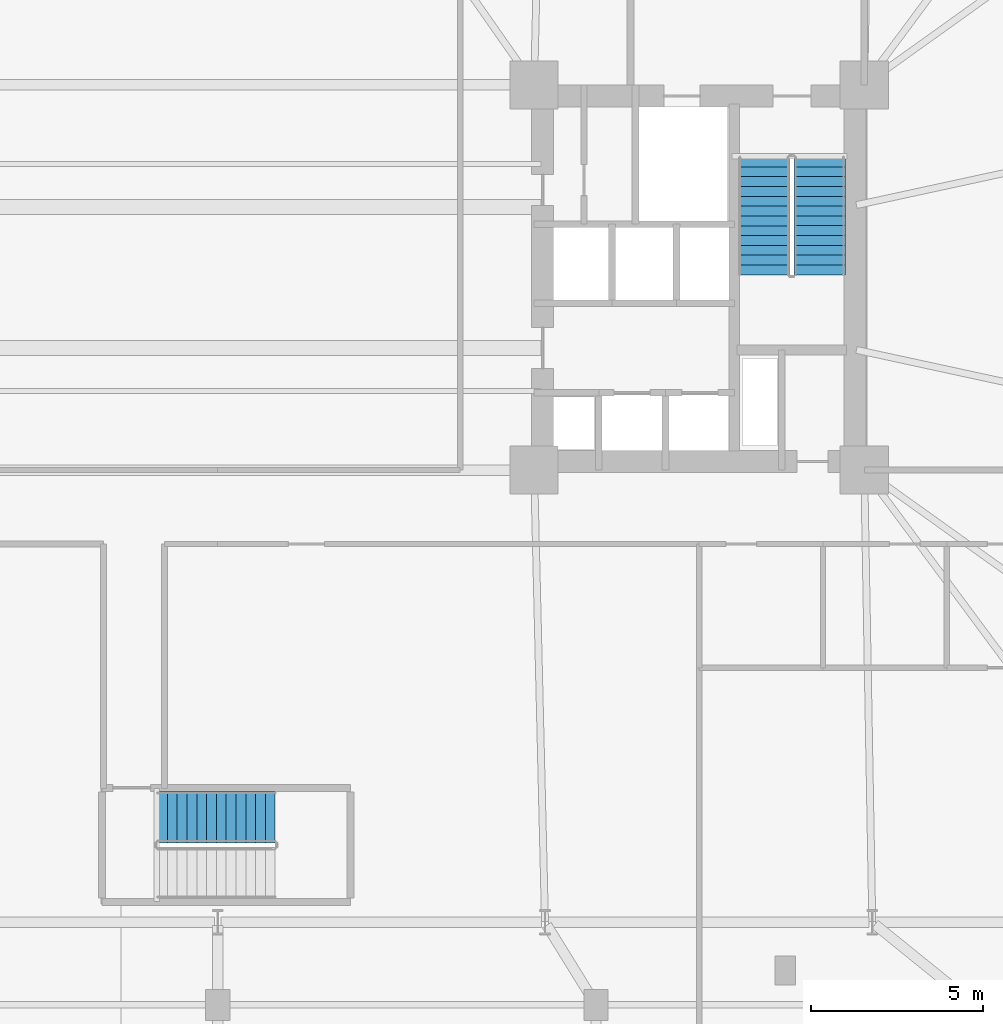
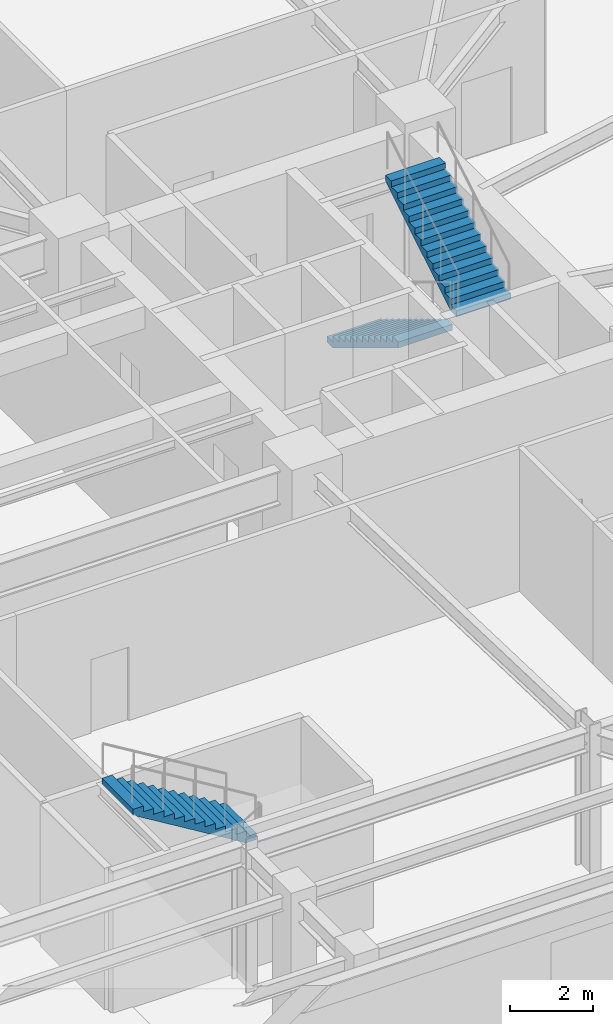
# One storey, part 18 of 23: 3 stair flights, 2 elements without a shape of their own.
"""IFC4 building model written with IfcOpenShell, lengths in metres."""

import ifcopenshell
import ifcopenshell.guid

model = None  # the IFC model being written
_history = None  # IfcOwnerHistory: only IFC2X3 demands one
_inside = {}  # id of a spatial element -> (the spatial element, [elements in it])
_under = {}  # id of a project, library or spatial element -> (it, [spatial elements below it])
_declared = {}  # id of a project -> (the project, [libraries it declares])
_typed = {}  # id of a type object -> (the type object, [elements of that type])
_made_of = {}  # id of a material, layer set ... -> (it, [elements and type objects made of it])


def new_model(schema):
    """Start an empty IFC model of exactly this schema.

    Asked for "IFC4X3", IfcOpenShell would pick the latest addendum, in which some entities
    have other attributes; the version numbers below select the first issue.
    IFC2X3 requires an IfcOwnerHistory on every rooted entity: one is made here for all.
    """
    global model, _history
    if schema == "IFC4X3":
        model = ifcopenshell.file(schema_version=(4, 3, 0, 0))
    else:
        model = ifcopenshell.file(schema=schema)
    _inside.clear()
    _under.clear()
    _declared.clear()
    _typed.clear()
    _made_of.clear()
    _history = None
    if model.schema == "IFC2X3":
        org = make("IfcOrganization", Name="unknown")
        user = make(
            "IfcPersonAndOrganization",
            ThePerson=make("IfcPerson", FamilyName="unknown"),
            TheOrganization=org,
        )
        app = make(
            "IfcApplication",
            ApplicationDeveloper=org,
            Version="unknown",
            ApplicationFullName="unknown",
            ApplicationIdentifier="unknown",
        )
        _history = make(
            "IfcOwnerHistory",
            OwningUser=user,
            OwningApplication=app,
            ChangeAction="ADDED",
            CreationDate=0,
        )
    return model


def make(cls, **values):
    """One entity of the class cls with the attributes given. An attribute that is None is left unset."""
    return model.create_entity(
        cls, **{name: value for name, value in values.items() if value is not None}
    )


def rooted(cls, **values):
    """An entity with a GlobalId (a new one), such as an element, a storey or a relation."""
    return make(cls, GlobalId=ifcopenshell.guid.new(), OwnerHistory=_history, **values)


def si_unit(unit_type, name, prefix=None):
    """IfcSIUnit, for example si_unit("LENGTHUNIT", "METRE", prefix="MILLI")."""
    return make("IfcSIUnit", UnitType=unit_type, Prefix=prefix, Name=name)


def assignment(units):
    """IfcUnitAssignment: the units of a project."""
    return None if units is None else make("IfcUnitAssignment", Units=units)


def point(xyz):
    """IfcCartesianPoint."""
    return None if xyz is None else make("IfcCartesianPoint", Coordinates=xyz)


def direction(xyz):
    """IfcDirection."""
    return None if xyz is None else make("IfcDirection", DirectionRatios=xyz)


def frame(location, z_axis=None, x_axis=None):
    """IfcAxis2Placement3D, a coordinate frame: its origin and axes. An axis left out is left unset."""
    return make(
        "IfcAxis2Placement3D",
        Location=point(location),
        Axis=direction(z_axis),
        RefDirection=direction(x_axis),
    )


def origin():
    """The frame at (0, 0, 0) with its axes left unset."""
    return frame((0.0, 0.0, 0.0))


def place(relative_to, where):
    """IfcLocalPlacement: puts the frame where relative to a parent placement (None: the world)."""
    return make(
        "IfcLocalPlacement", PlacementRelTo=relative_to, RelativePlacement=where
    )


def context(
    kind, dimensions, precision=None, world=None, true_north=None, identifier=None
):
    """IfcGeometricRepresentationContext, for example the 3D "Model" context."""
    return make(
        "IfcGeometricRepresentationContext",
        ContextIdentifier=identifier,
        ContextType=kind,
        CoordinateSpaceDimension=dimensions,
        Precision=precision,
        WorldCoordinateSystem=world,
        TrueNorth=true_north,
    )


def subcontext(parent, identifier, kind, view, scale=None):
    """IfcGeometricRepresentationSubContext, for example "Body" below "Model"."""
    return make(
        "IfcGeometricRepresentationSubContext",
        ContextIdentifier=identifier,
        ContextType=kind,
        ParentContext=parent,
        TargetScale=scale,
        TargetView=view,
    )


def project(units=None, contexts=None):
    """IfcProject with its units and contexts."""
    return rooted(
        "IfcProject",
        Name="project",
        RepresentationContexts=contexts,
        UnitsInContext=assignment(units),
    )


def spatial(cls, under=None, at=None, **own):
    """A site, building, storey or space (cls), placed at a placement, below another one or the project."""
    s = rooted(cls, ObjectPlacement=at, **own)
    if under is not None:
        _under.setdefault(under.id(), (under, []))[1].append(s)
    return s


def polyline(points):
    """IfcPolyline through the points."""
    return make("IfcPolyline", Points=[point(p) for p in points])


def outline(outer, holes=None, kind="AREA"):
    """IfcArbitraryClosedProfileDef: a profile drawn as a closed curve; with holes, ...WithVoids."""
    if holes is None:
        return make("IfcArbitraryClosedProfileDef", ProfileType=kind, OuterCurve=outer)
    return make(
        "IfcArbitraryProfileDefWithVoids",
        ProfileType=kind,
        OuterCurve=outer,
        InnerCurves=holes,
    )


def extrude(swept, where, along, depth):
    """IfcExtrudedAreaSolid: the profile swept, set in the frame where, extruded along a direction by depth."""
    return make(
        "IfcExtrudedAreaSolid",
        SweptArea=swept,
        Position=where,
        ExtrudedDirection=direction(along),
        Depth=depth,
    )


def shape(context_of_items, identifier, shape_type, items):
    """IfcShapeRepresentation: the items that make up one representation, for example the "Body"."""
    return make(
        "IfcShapeRepresentation",
        ContextOfItems=context_of_items,
        RepresentationIdentifier=identifier,
        RepresentationType=shape_type,
        Items=items,
    )


def material(Name=None, Category=None):
    """IfcMaterial."""
    return make("IfcMaterial", Name=Name, Category=Category)


def made_of(thing, what):
    """Note that an element or type object is made of a material, layer set ...; save() writes the relation."""
    if what is not None:
        _made_of.setdefault(what.id(), (what, []))[1].append(thing)
    return thing


def type_object(cls, material=None, **own):
    """A type object (cls), such as IfcWallType, which elements share."""
    return made_of(rooted(cls, **own), material)


def element(
    cls,
    number,
    at=None,
    inside=None,
    cuts=None,
    type_object=None,
    material=None,
    context=None,
    identifier="Body",
    shape_type=None,
    held_by="IfcProductDefinitionShape",
    body=None,
    shapes=None,
    **own,
):
    """One element of the class cls, such as IfcWall. Its Tag is "e" and its number.

    at: its placement. inside: the storey or other place that contains it. cuts: it is an
    opening in that element (IfcRelVoidsElement). A single representation is given by context,
    identifier, shape_type and body (its items); several are given by shapes. held_by: the class
    of the entity that holds the representations. save() writes the other relations.
    """
    e = rooted(cls, Tag="e%d" % number, ObjectPlacement=at, **own)
    if body is not None:
        shapes = [shape(context, identifier, shape_type, body)]
    if shapes is not None:
        e.Representation = make(held_by, Representations=shapes)
    if inside is not None:
        _inside.setdefault(inside.id(), (inside, []))[1].append(e)
    if cuts is not None:
        rooted(
            "IfcRelVoidsElement", RelatingBuildingElement=cuts, RelatedOpeningElement=e
        )
    if type_object is not None:
        _typed.setdefault(type_object.id(), (type_object, []))[1].append(e)
    return made_of(e, material)


def aggregate(whole, parts):
    """IfcRelAggregates: a whole, such as a stair, and the parts it consists of."""
    return rooted("IfcRelAggregates", RelatingObject=whole, RelatedObjects=parts)


def save(model, path):
    """Write the relations noted so far, then the file.

    IfcRelAggregates (storeys below a building ...), IfcRelContainedInSpatialStructure (elements
    in a storey), IfcRelDefinesByType, IfcRelAssociatesMaterial and IfcRelDeclares: one each for
    every whole, place, type object, material and project.
    """
    for whole, parts in _under.values():
        aggregate(whole, parts)
    for where, things in _inside.values():
        rooted(
            "IfcRelContainedInSpatialStructure",
            RelatedElements=things,
            RelatingStructure=where,
        )
    for kind, things in _typed.values():
        rooted("IfcRelDefinesByType", RelatedObjects=things, RelatingType=kind)
    for what, things in _made_of.values():
        rooted("IfcRelAssociatesMaterial", RelatedObjects=things, RelatingMaterial=what)
    for by, libraries in _declared.values():
        rooted("IfcRelDeclares", RelatingContext=by, RelatedDefinitions=libraries)
    model.write(path)


model = new_model("IFC4")

# Units and contexts
model_context = context("Model", 3, precision=1e-05, world=origin(), true_north=direction((0.0, 1.0)))
body_context = subcontext(model_context, "Body", "Model", "MODEL_VIEW")
ifc_project = project(units=[si_unit("LENGTHUNIT", "METRE"), si_unit("AREAUNIT", "SQUARE_METRE"), si_unit("VOLUMEUNIT", "CUBIC_METRE"), si_unit("PLANEANGLEUNIT", "RADIAN"), si_unit("MASSUNIT", "GRAM", prefix="KILO")], contexts=[model_context])

# Site, building, storey
site_placement = place(None, origin())
site = spatial("IfcSite", under=ifc_project, at=site_placement, CompositionType="ELEMENT")
building_placement = place(site_placement, origin())
building = spatial("IfcBuilding", under=site, at=building_placement, Name="Qobustan Lattice House", CompositionType="ELEMENT")
storey_placement = place(building_placement, frame((0.0, 0.0, 9.0)))
storey = spatial("IfcBuildingStorey", under=building, at=storey_placement, Name="L02", CompositionType="ELEMENT", Elevation=9.0)

# Stair, stair flights
ifc_material_1 = material(Name="Concrete C40/50", Category="concrete")
stair_type_1 = type_object("IfcStairType", Name="STR-CORE-DOGLEG", PredefinedType="HALF_TURN_STAIR", material=ifc_material_1)
stair_1_placement = place(storey_placement, origin())
stair_1 = element("IfcStair", 1, at=stair_1_placement, inside=storey, type_object=stair_type_1, Name="L02 East protected exit stair ST-E1", PredefinedType="HALF_TURN_STAIR")
ifc_material_2 = material(Name="Concrete C40/50", Category="concrete")
stair_flight_type = type_object("IfcStairFlightType", Name="SFL-RC-1500", PredefinedType="STRAIGHT", material=ifc_material_2)
stair_flight_1_placement = place(storey_placement, frame((15.8798828125, 3.5, 0.0), z_axis=(0.0, 0.0, 1.0), x_axis=(0.0, -1.0, 0.0)))
stair_flight_1 = element("IfcStairFlight", 2, at=stair_flight_1_placement, type_object=stair_flight_type, Name="ST-E1 flight 1", NumberOfRisers=13, NumberOfTreads=12, PredefinedType="STRAIGHT", RiserHeight=0.173076923, TreadLength=0.285, context=body_context, shape_type="SweptSolid", body=[
    extrude(outline(polyline([(0.0, 0.0), (0.0, 0.173095703125), (0.284912109375, 0.173095703125), (0.284912109375, 0.34619140625), (0.570068359375, 0.34619140625), (0.570068359375, 0.519287109375), (0.85498046875, 0.519287109375), (0.85498046875, 0.6923828125), (1.139892578125, 0.6923828125), (1.139892578125, 0.865478515625), (1.425048828125, 0.865478515625), (1.425048828125, 1.03857421875), (1.7099609375, 1.03857421875), (1.7099609375, 1.21142578125), (1.9951171875, 1.21142578125), (1.9951171875, 1.384521484375), (2.280029296875, 1.384521484375), (2.280029296875, 1.5576171875), (2.56494140625, 1.5576171875), (2.56494140625, 1.730712890625), (2.85009765625, 1.730712890625), (2.85009765625, 1.90380859375), (3.135009765625, 1.90380859375), (3.135009765625, 2.076904296875), (3.419921875, 2.076904296875), (3.419921875, 2.25), (3.419921875, 1.901611328125), (0.288818359375, 0.0), (0.0, 0.0)])), frame((0.0, 0.75, 0.0), z_axis=(0.0, -1.0, 0.0), x_axis=(1.0, 0.0, 0.0)), (0.0, 0.0, 1.0), 1.5),
])
stair_flight_2_placement = place(storey_placement, frame((17.5, 0.080078125, 2.25), z_axis=(0.0, 0.0, 1.0), x_axis=(0.0, 1.0, 0.0)))
stair_flight_2 = element("IfcStairFlight", 3, at=stair_flight_2_placement, type_object=stair_flight_type, Name="ST-E1 flight 2", NumberOfRisers=13, NumberOfTreads=12, PredefinedType="STRAIGHT", RiserHeight=0.173076923, TreadLength=0.285, context=body_context, shape_type="SweptSolid", body=[
    extrude(outline(polyline([(0.0, 0.0), (0.0, 0.173095703125), (0.284912109375, 0.173095703125), (0.284912109375, 0.34619140625), (0.570068359375, 0.34619140625), (0.570068359375, 0.519287109375), (0.85498046875, 0.519287109375), (0.85498046875, 0.6923828125), (1.139892578125, 0.6923828125), (1.139892578125, 0.865478515625), (1.425048828125, 0.865478515625), (1.425048828125, 1.03857421875), (1.7099609375, 1.03857421875), (1.7099609375, 1.21142578125), (1.9951171875, 1.21142578125), (1.9951171875, 1.384521484375), (2.280029296875, 1.384521484375), (2.280029296875, 1.5576171875), (2.56494140625, 1.5576171875), (2.56494140625, 1.730712890625), (2.85009765625, 1.730712890625), (2.85009765625, 1.90380859375), (3.135009765625, 1.90380859375), (3.135009765625, 2.076904296875), (3.419921875, 2.076904296875), (3.419921875, 2.25), (3.419921875, 1.901611328125), (0.288818359375, 0.0), (0.0, 0.0)])), frame((0.0, 0.75, 0.0), z_axis=(0.0, -1.0, 0.0), x_axis=(1.0, 0.0, 0.0)), (0.0, 0.0, 1.0), 1.5),
])
aggregate(stair_1, [stair_flight_1, stair_flight_2])

# Stair, stair flight
ifc_material_3 = material(Name="Concrete C40/50", Category="concrete")
stair_type_2 = type_object("IfcStairType", Name="STR-POD-DOGLEG", PredefinedType="DOUBLE_RETURN_STAIR", material=ifc_material_3)
stair_2_placement = place(storey_placement, origin())
stair_2 = element("IfcStair", 4, at=stair_2_placement, inside=storey, type_object=stair_type_2, Name="L02 Podium garden exit stair ST-P1", PredefinedType="DOUBLE_RETURN_STAIR")
stair_flight_3_placement = place(storey_placement, frame((1.669921875, -15.68994140625, 2.25), z_axis=(0.0, 0.0, 1.0), x_axis=(-1.0, 0.0, 0.0)))
stair_flight_3 = element("IfcStairFlight", 5, at=stair_flight_3_placement, type_object=stair_flight_type, Name="ST-P1 flight 2", NumberOfRisers=13, NumberOfTreads=12, PredefinedType="STRAIGHT", RiserHeight=0.173076923, TreadLength=0.285, context=body_context, shape_type="SweptSolid", body=[
    extrude(outline(polyline([(0.0, 0.0), (0.0, 0.173095703125), (0.284912109375, 0.173095703125), (0.284912109375, 0.34619140625), (0.570068359375, 0.34619140625), (0.570068359375, 0.519287109375), (0.85498046875, 0.519287109375), (0.85498046875, 0.6923828125), (1.139892578125, 0.6923828125), (1.139892578125, 0.865478515625), (1.425048828125, 0.865478515625), (1.425048828125, 1.03857421875), (1.7099609375, 1.03857421875), (1.7099609375, 1.21142578125), (1.9951171875, 1.21142578125), (1.9951171875, 1.384521484375), (2.280029296875, 1.384521484375), (2.280029296875, 1.5576171875), (2.56494140625, 1.5576171875), (2.56494140625, 1.730712890625), (2.85009765625, 1.730712890625), (2.85009765625, 1.90380859375), (3.135009765625, 1.90380859375), (3.135009765625, 2.076904296875), (3.419921875, 2.076904296875), (3.419921875, 2.25), (3.419921875, 1.901611328125), (0.288818359375, 0.0), (0.0, 0.0)])), frame((0.0, 0.75, 0.0), z_axis=(0.0, -1.0, 0.0), x_axis=(1.0, 0.0, 0.0)), (0.0, 0.0, 1.0), 1.5),
])
aggregate(stair_2, [stair_flight_3])

save(model, "model.ifc")
